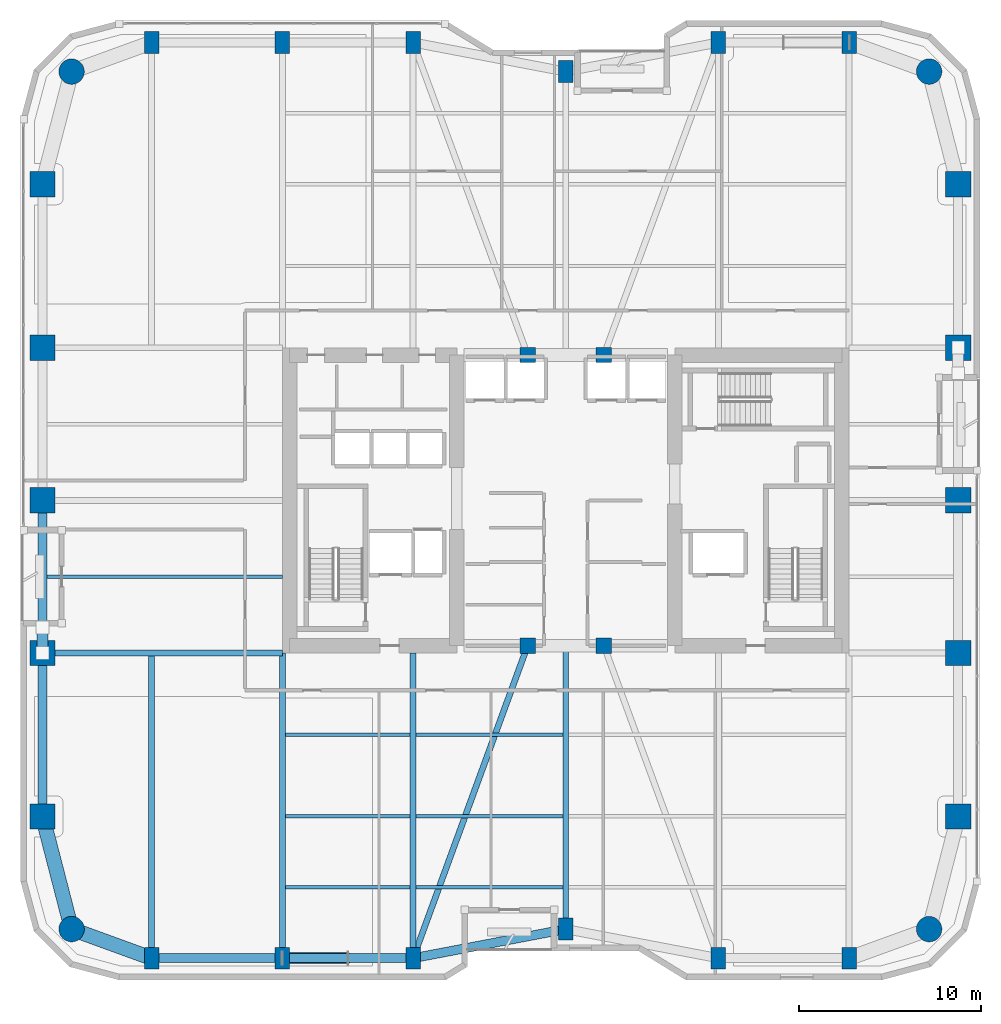
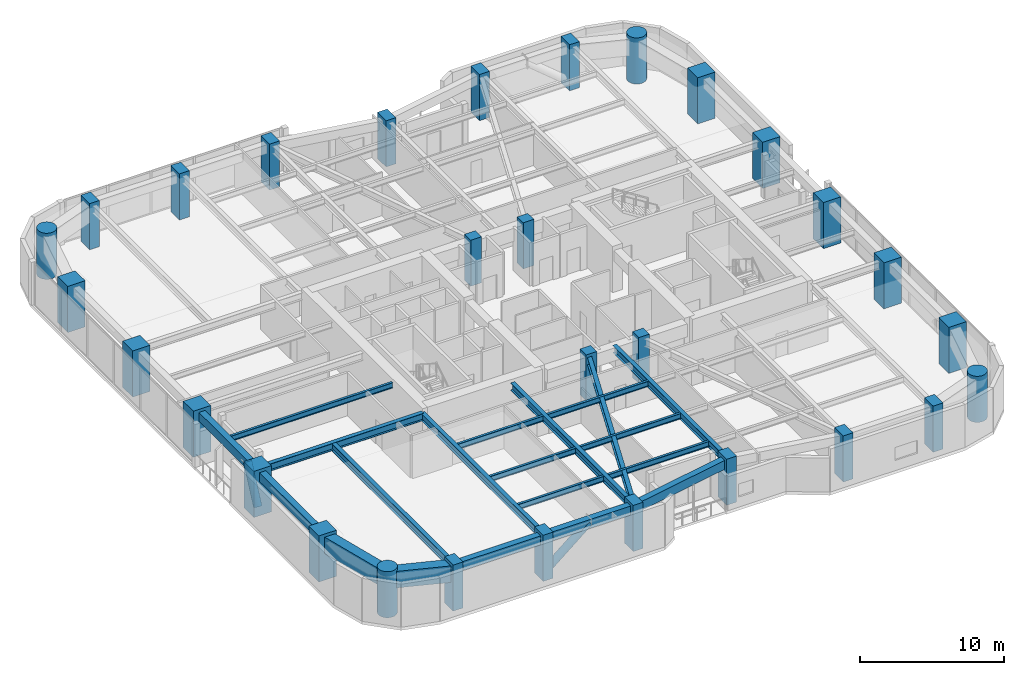
# One storey, part 1 of 24: 30 columns, 20 beams, 2 members.
"""IFC4 building model written with IfcOpenShell, lengths in metres."""

from ifc_helpers import new_model, si_unit, direction, frame, origin, origin_2d, place, context, subcontext, project, spatial, rectangle, circle, hollow_circle, i_section, extrude, material, material_profile, profile_set, type_object, element, save


model = new_model("IFC4")

# Units and contexts
model_context = context("Model", 3, precision=1e-05, world=origin(), true_north=direction((0.0, 1.0)))
body_context = subcontext(model_context, "Body", "Model", "MODEL_VIEW")
ifc_project = project(units=[si_unit("LENGTHUNIT", "METRE"), si_unit("AREAUNIT", "SQUARE_METRE"), si_unit("VOLUMEUNIT", "CUBIC_METRE"), si_unit("PLANEANGLEUNIT", "RADIAN"), si_unit("MASSUNIT", "GRAM", prefix="KILO")], contexts=[model_context])

# Site, building, storey
site_placement = place(None, origin())
site = spatial("IfcSite", under=ifc_project, at=site_placement, CompositionType="ELEMENT")
building_placement = place(site_placement, origin())
building = spatial("IfcBuilding", under=site, at=building_placement, Name="Kiyonajd Concourse Tower", CompositionType="ELEMENT")
storey_placement = place(building_placement, frame((0.0, 0.0, 133.800048828125)))
storey = spatial("IfcBuildingStorey", under=building, at=storey_placement, Name="L34", CompositionType="ELEMENT", Elevation=133.800048828125)

# Columns
ifc_material_1 = material(Name="Concrete C70/85", Category="concrete")
ifc_material_profile_1 = material_profile(ifc_material_1, rectangle(XDim=0.800048828125, YDim=1.199951171875, at=origin_2d()), Name="RC-1200x800")
ifc_profile_set_1 = profile_set([ifc_material_profile_1], Name="Concrete C70/85")
column_type_1 = type_object("IfcColumnType", Name="CL-BLADE-1200", PredefinedType="COLUMN", material=ifc_profile_set_1)
for number, where, z_axis, x_axis, name in (
    (1, (25.199951171875, 10.800048828125, 0.0), (0.0, 0.0, 1.0), (1.0, 0.0, 0.0), "L34 Perimeter Bundled Tube Column"),
    (2, (25.199951171875, 61.199951171875, 0.0), (0.0, 0.0, 1.0), (1.0, 0.0, 0.0), "L34 Perimeter Bundled Tube Column"),
    (3, (32.39990234375, 10.800048828125, 0.0), (0.0, 0.0, 1.0), (1.0, 0.0, 0.0), "L34 Perimeter Bundled Tube Column"),
    (4, (32.39990234375, 61.199951171875, 0.0), (0.0, 0.0, 1.0), (1.0, 0.0, 0.0), "L34 Perimeter Bundled Tube Column"),
    (5, (39.60009765625, 10.800048828125, 0.0), (0.0, 0.0, 1.0), (1.0, 0.0, 0.0), "L34 Perimeter Bundled Tube Column"),
    (6, (39.60009765625, 61.199951171875, 0.0), (0.0, 0.0, 1.0), (1.0, 0.0, 0.0), "L34 Perimeter Bundled Tube Column"),
    (7, (48.0, 12.39990234375, 0.0), (0.0, 0.0, 1.0), (1.0, 0.0, 0.0), "L34 Perimeter Bundled Tube Column"),
    (8, (48.0, 59.60009765625, 0.0), (0.0, 0.0, 1.0), (1.0, 0.0, 0.0), "L34 Perimeter Bundled Tube Column"),
    (9, (56.39990234375, 10.800048828125, 0.0), (0.0, 0.0, 1.0), (1.0, 0.0, 0.0), "L34 Perimeter Bundled Tube Column"),
    (10, (56.39990234375, 61.199951171875, 0.0), (0.0, 0.0, 1.0), (1.0, 0.0, 0.0), "L34 Perimeter Bundled Tube Column"),
    (11, (63.60009765625, 10.800048828125, 0.0), (0.0, 0.0, 1.0), (1.0, 0.0, 0.0), "L34 Perimeter Bundled Tube Column"),
    (12, (63.60009765625, 61.199951171875, 0.0), (0.0, 0.0, 1.0), (1.0, 0.0, 0.0), "L34 Perimeter Bundled Tube Column"),
):
    element("IfcColumn", number, at=place(storey_placement, frame(where, z_axis=z_axis, x_axis=x_axis)), inside=storey, type_object=column_type_1, Name=name, PredefinedType="COLUMN", context=body_context, shape_type="SweptSolid", body=[
        extrude(rectangle(XDim=0.800048828125, YDim=1.199951171875, at=origin_2d()), origin(), (0.0, 0.0, 1.0), 3.89990234375),
    ])
ifc_material_2 = material(Name="Concrete C80/95", Category="concrete")
ifc_material_profile_2 = material_profile(ifc_material_2, circle(Radius=0.699951171875, at=origin_2d()), Name="RCC-D1400")
ifc_profile_set_2 = profile_set([ifc_material_profile_2], Name="Concrete C80/95")
column_type_2 = type_object("IfcColumnType", Name="CL-RND-1400", PredefinedType="COLUMN", material=ifc_profile_set_2)
for number, where, z_axis, x_axis, name in (
    (13, (20.800048828125, 12.39990234375, 0.0), (0.0, 0.0, 1.0), (1.0, 0.0, 0.0), "L34 Bundled Tube Corner Column South West"),
    (14, (68.0, 12.39990234375, 0.0), (0.0, 0.0, 1.0), (1.0, 0.0, 0.0), "L34 Bundled Tube Corner Column South East"),
    (15, (68.0, 59.60009765625, 0.0), (0.0, 0.0, 1.0), (1.0, 0.0, 0.0), "L34 Bundled Tube Corner Column North East"),
    (16, (20.800048828125, 59.60009765625, 0.0), (0.0, 0.0, 1.0), (1.0, 0.0, 0.0), "L34 Bundled Tube Corner Column North West"),
):
    element("IfcColumn", number, at=place(storey_placement, frame(where, z_axis=z_axis, x_axis=x_axis)), inside=storey, type_object=column_type_2, Name=name, PredefinedType="COLUMN", context=body_context, shape_type="SweptSolid", body=[
        extrude(circle(Radius=0.699951171875, at=origin_2d()), origin(), (0.0, 0.0, 1.0), 3.89990234375),
    ])
ifc_material_profile_3 = material_profile(ifc_material_1, rectangle(XDim=1.39990234375, YDim=1.39990234375, at=origin_2d()), Name="RC-1400x1400")
ifc_profile_set_3 = profile_set([ifc_material_profile_3], Name="Concrete C70/85")
column_type_3 = type_object("IfcColumnType", Name="CL-TUBE-1400", PredefinedType="COLUMN", material=ifc_profile_set_3)
for number, where, z_axis, x_axis, name in (
    (17, (19.199951171875, 18.60009765625, 0.0), (0.0, 0.0, 1.0), (1.0, 0.0, 0.0), "L34 Perimeter Bundled Tube Column"),
    (18, (69.60009765625, 18.60009765625, 0.0), (0.0, 0.0, 1.0), (1.0, 0.0, 0.0), "L34 Perimeter Bundled Tube Column"),
    (19, (19.199951171875, 27.60009765625, 0.0), (0.0, 0.0, 1.0), (1.0, 0.0, 0.0), "L34 Perimeter Bundled Tube Column"),
    (20, (69.60009765625, 27.60009765625, 0.0), (0.0, 0.0, 1.0), (1.0, 0.0, 0.0), "L34 Perimeter Bundled Tube Column"),
    (21, (19.199951171875, 36.0, 0.0), (0.0, 0.0, 1.0), (1.0, 0.0, 0.0), "L34 Perimeter Bundled Tube Column"),
    (22, (69.60009765625, 36.0, 0.0), (0.0, 0.0, 1.0), (1.0, 0.0, 0.0), "L34 Perimeter Bundled Tube Column"),
    (23, (19.199951171875, 44.39990234375, 0.0), (0.0, 0.0, 1.0), (1.0, 0.0, 0.0), "L34 Perimeter Bundled Tube Column"),
    (24, (69.60009765625, 44.39990234375, 0.0), (0.0, 0.0, 1.0), (1.0, 0.0, 0.0), "L34 Perimeter Bundled Tube Column"),
    (25, (19.199951171875, 53.39990234375, 0.0), (0.0, 0.0, 1.0), (1.0, 0.0, 0.0), "L34 Perimeter Bundled Tube Column"),
    (26, (69.60009765625, 53.39990234375, 0.0), (0.0, 0.0, 1.0), (1.0, 0.0, 0.0), "L34 Perimeter Bundled Tube Column"),
):
    element("IfcColumn", number, at=place(storey_placement, frame(where, z_axis=z_axis, x_axis=x_axis)), inside=storey, type_object=column_type_3, Name=name, PredefinedType="COLUMN", context=body_context, shape_type="SweptSolid", body=[
        extrude(rectangle(XDim=1.39990234375, YDim=1.39990234375, at=origin_2d()), origin(), (0.0, 0.0, 1.0), 3.89990234375),
    ])
ifc_material_3 = material(Name="Concrete C60/75", Category="concrete")
ifc_material_profile_4 = material_profile(ifc_material_3, rectangle(XDim=0.85009765625, YDim=0.85009765625, at=origin_2d()), Name="RC-850x850")
ifc_profile_set_4 = profile_set([ifc_material_profile_4], Name="Concrete C60/75")
column_type_4 = type_object("IfcColumnType", Name="CL-TUBE-850", PredefinedType="COLUMN", material=ifc_profile_set_4)
for number, where, z_axis, x_axis, name in (
    (27, (45.89990234375, 28.0, 0.0), (0.0, 0.0, 1.0), (1.0, 0.0, 0.0), "L34 Core Tie Column South West"),
    (28, (50.10009765625, 28.0, 0.0), (0.0, 0.0, 1.0), (1.0, 0.0, 0.0), "L34 Core Tie Column South East"),
    (29, (45.89990234375, 44.0, 0.0), (0.0, 0.0, 1.0), (1.0, 0.0, 0.0), "L34 Core Tie Column North West"),
    (30, (50.10009765625, 44.0, 0.0), (0.0, 0.0, 1.0), (1.0, 0.0, 0.0), "L34 Core Tie Column North East"),
):
    element("IfcColumn", number, at=place(storey_placement, frame(where, z_axis=z_axis, x_axis=x_axis)), inside=storey, type_object=column_type_4, Name=name, PredefinedType="COLUMN", context=body_context, shape_type="SweptSolid", body=[
        extrude(rectangle(XDim=0.85009765625, YDim=0.85009765625, at=origin_2d()), origin(), (0.0, 0.0, 1.0), 3.89990234375),
    ])

# Beams
ifc_material_4 = material(Name="Steel ASTM A992 Grade 50", Category="steel")
ifc_material_profile_5 = material_profile(ifc_material_4, i_section(OverallWidth=0.19189453125, OverallDepth=0.462890625, WebThickness=0.010498046875, FlangeThickness=0.017578125, at=origin_2d()), Name="W460X89")
ifc_profile_set_5 = profile_set([ifc_material_profile_5], Name="Steel ASTM A992 Grade 50")
beam_type_1 = type_object("IfcBeamType", Name="BM-JST-460B", PredefinedType="JOIST", material=ifc_profile_set_5)
beam_1_placement = place(storey_placement, frame((32.5634765625, 14.699951171875, 3.408447265625), z_axis=(1.0, 0.0, 0.0), x_axis=(0.0, 1.0, 0.0)))
element("IfcBeam", 31, at=beam_1_placement, inside=storey, type_object=beam_type_1, Name="L34 Secondary Floor Joist", PredefinedType="JOIST", context=body_context, shape_type="SweptSolid", body=[
    extrude(i_section(OverallWidth=0.19189453125, OverallDepth=0.462890625, WebThickness=0.010498046875, FlangeThickness=0.017578125, at=origin_2d()), origin(), (0.0, 0.0, 1.0), 6.873046875),
])
beam_2_placement = place(storey_placement, frame((39.763427734375, 14.699951171875, 3.408447265625), z_axis=(1.0, 0.0, 0.0), x_axis=(0.0, 1.0, 0.0)))
element("IfcBeam", 32, at=beam_2_placement, inside=storey, type_object=beam_type_1, Name="L34 Secondary Floor Joist", PredefinedType="JOIST", context=body_context, shape_type="SweptSolid", body=[
    extrude(i_section(OverallWidth=0.19189453125, OverallDepth=0.462890625, WebThickness=0.010498046875, FlangeThickness=0.017578125, at=origin_2d()), origin(), (0.0, 0.0, 1.0), 8.072998046875),
])
beam_3_placement = place(storey_placement, frame((32.5634765625, 18.60009765625, 3.408447265625), z_axis=(1.0, 0.0, 0.0), x_axis=(0.0, 1.0, 0.0)))
element("IfcBeam", 33, at=beam_3_placement, inside=storey, type_object=beam_type_1, Name="L34 Secondary Floor Joist", PredefinedType="JOIST", context=body_context, shape_type="SweptSolid", body=[
    extrude(i_section(OverallWidth=0.19189453125, OverallDepth=0.462890625, WebThickness=0.010498046875, FlangeThickness=0.017578125, at=origin_2d()), origin(), (0.0, 0.0, 1.0), 6.873046875),
])
beam_4_placement = place(storey_placement, frame((39.763427734375, 18.60009765625, 3.408447265625), z_axis=(1.0, 0.0, 0.0), x_axis=(0.0, 1.0, 0.0)))
element("IfcBeam", 34, at=beam_4_placement, inside=storey, type_object=beam_type_1, Name="L34 Secondary Floor Joist", PredefinedType="JOIST", context=body_context, shape_type="SweptSolid", body=[
    extrude(i_section(OverallWidth=0.19189453125, OverallDepth=0.462890625, WebThickness=0.010498046875, FlangeThickness=0.017578125, at=origin_2d()), origin(), (0.0, 0.0, 1.0), 8.072998046875),
])
beam_5_placement = place(storey_placement, frame((32.5634765625, 23.10009765625, 3.408447265625), z_axis=(1.0, 0.0, 0.0), x_axis=(0.0, 1.0, 0.0)))
element("IfcBeam", 35, at=beam_5_placement, inside=storey, type_object=beam_type_1, Name="L34 Secondary Floor Joist", PredefinedType="JOIST", context=body_context, shape_type="SweptSolid", body=[
    extrude(i_section(OverallWidth=0.19189453125, OverallDepth=0.462890625, WebThickness=0.010498046875, FlangeThickness=0.017578125, at=origin_2d()), origin(), (0.0, 0.0, 1.0), 6.873046875),
])
beam_6_placement = place(storey_placement, frame((39.763427734375, 23.10009765625, 3.408447265625), z_axis=(1.0, 0.0, 0.0), x_axis=(0.0, 1.0, 0.0)))
element("IfcBeam", 36, at=beam_6_placement, inside=storey, type_object=beam_type_1, Name="L34 Secondary Floor Joist", PredefinedType="JOIST", context=body_context, shape_type="SweptSolid", body=[
    extrude(i_section(OverallWidth=0.19189453125, OverallDepth=0.462890625, WebThickness=0.010498046875, FlangeThickness=0.017578125, at=origin_2d()), origin(), (0.0, 0.0, 1.0), 8.072998046875),
])
beam_7_placement = place(storey_placement, frame((19.449951171875, 31.800048828125, 3.408447265625), z_axis=(1.0, 0.0, 0.0), x_axis=(0.0, 1.0, 0.0)))
element("IfcBeam", 37, at=beam_7_placement, inside=storey, type_object=beam_type_1, Name="L34 West Secondary Floor Joist", PredefinedType="JOIST", context=body_context, shape_type="SweptSolid", body=[
    extrude(i_section(OverallWidth=0.19189453125, OverallDepth=0.462890625, WebThickness=0.010498046875, FlangeThickness=0.017578125, at=origin_2d()), origin(), (0.0, 0.0, 1.0), 12.949951171875),
])
ifc_material_5 = material(Name="Precast concrete C50/60", Category="concrete")
ifc_material_profile_6 = material_profile(ifc_material_5, rectangle(XDim=0.5, YDim=0.75, at=origin_2d()), Name="RCBM-500x750")
ifc_profile_set_6 = profile_set([ifc_material_profile_6], Name="Precast concrete C50/60")
beam_type_2 = type_object("IfcBeamType", Name="BM-SPAN-RC", PredefinedType="SPANDREL", material=ifc_profile_set_6)
beam_8_placement = place(storey_placement, frame((19.199951171875, 27.60009765625, 3.264892578125), z_axis=(0.0, -1.0, 0.0), x_axis=(1.0, 0.0, 0.0)))
element("IfcBeam", 38, at=beam_8_placement, inside=storey, type_object=beam_type_2, Name="L34 Perimeter Bundled Tube Spandrel", PredefinedType="SPANDREL", context=body_context, shape_type="SweptSolid", body=[
    extrude(rectangle(XDim=0.5, YDim=0.75, at=origin_2d()), origin(), (0.0, 0.0, 1.0), 9.0),
])
beam_9_placement = place(storey_placement, frame((25.199951171875, 10.800048828125, 3.264892578125), z_axis=(1.0, 0.0, 0.0), x_axis=(0.0, 1.0, 0.0)))
element("IfcBeam", 39, at=beam_9_placement, inside=storey, type_object=beam_type_2, Name="L34 Perimeter Bundled Tube Spandrel", PredefinedType="SPANDREL", context=body_context, shape_type="SweptSolid", body=[
    extrude(rectangle(XDim=0.5, YDim=0.75, at=origin_2d()), origin(), (0.0, 0.0, 1.0), 7.199951171875),
])
beam_10_placement = place(storey_placement, frame((32.39990234375, 10.800048828125, 3.264892578125), z_axis=(1.0, 0.0, 0.0), x_axis=(0.0, 1.0, 0.0)))
element("IfcBeam", 40, at=beam_10_placement, inside=storey, type_object=beam_type_2, Name="L34 Perimeter Bundled Tube Spandrel", PredefinedType="SPANDREL", context=body_context, shape_type="SweptSolid", body=[
    extrude(rectangle(XDim=0.5, YDim=0.75, at=origin_2d()), origin(), (0.0, 0.0, 1.0), 7.2001953125),
])
beam_11_placement = place(storey_placement, frame((39.60009765625, 10.800048828125, 3.264892578125), z_axis=(0.982341315253, 0.187097675953, 0.0), x_axis=(-0.187097675953, 0.982341315253, 0.0)))
element("IfcBeam", 41, at=beam_11_placement, inside=storey, type_object=beam_type_2, Name="L34 Perimeter Bundled Tube Spandrel", PredefinedType="SPANDREL", context=body_context, shape_type="SweptSolid", body=[
    extrude(rectangle(XDim=0.5, YDim=0.75, at=origin_2d()), origin(), (0.0, 0.0, 1.0), 8.55078125),
])
beam_12_placement = place(storey_placement, frame((19.199951171875, 36.0, 3.264892578125), z_axis=(0.0, -1.0, 0.0), x_axis=(1.0, 0.0, 0.0)))
element("IfcBeam", 42, at=beam_12_placement, inside=storey, type_object=beam_type_2, Name="L34 Perimeter Bundled Tube Spandrel", PredefinedType="SPANDREL", context=body_context, shape_type="SweptSolid", body=[
    extrude(rectangle(XDim=0.5, YDim=0.75, at=origin_2d()), origin(), (0.0, 0.0, 1.0), 8.39990234375),
])
ifc_material_profile_7 = material_profile(ifc_material_4, i_section(OverallWidth=0.326904296875, OverallDepth=0.6220703125, WebThickness=0.015380859375, FlangeThickness=0.0244140625, at=origin_2d()), Name="W610X195")
ifc_profile_set_7 = profile_set([ifc_material_profile_7], Name="Steel ASTM A992 Grade 50")
beam_type_3 = type_object("IfcBeamType", Name="BM-TWR-610A", PredefinedType="BEAM", material=ifc_profile_set_7)
beam_13_placement = place(storey_placement, frame((39.60009765625, 10.800048828125, 3.328857421875), z_axis=(0.343925269715, 0.938997022813, 0.0), x_axis=(-0.938997022813, 0.343925269715, 0.0)))
element("IfcBeam", 43, at=beam_13_placement, inside=storey, type_object=beam_type_3, Name="L34 Core Tie Girder", PredefinedType="BEAM", context=body_context, shape_type="SweptSolid", body=[
    extrude(i_section(OverallWidth=0.326904296875, OverallDepth=0.6220703125, WebThickness=0.015380859375, FlangeThickness=0.0244140625, at=origin_2d()), origin(), (0.0, 0.0, 1.0), 18.3173828125),
])
for number, where, z_axis, x_axis, name in (
    (44, (25.199951171875, 10.800048828125, 3.328857421875), (0.0, 1.0, 0.0), (-1.0, 0.0, 0.0), "L34 South Lease Girder"),
    (45, (32.39990234375, 10.800048828125, 3.328857421875), (0.0, 1.0, 0.0), (-1.0, 0.0, 0.0), "L34 South Lease Girder"),
    (46, (39.60009765625, 10.800048828125, 3.328857421875), (0.0, 1.0, 0.0), (-1.0, 0.0, 0.0), "L34 South Lease Girder"),
):
    element("IfcBeam", number, at=place(storey_placement, frame(where, z_axis=z_axis, x_axis=x_axis)), inside=storey, type_object=beam_type_3, Name=name, PredefinedType="BEAM", context=body_context, shape_type="SweptSolid", body=[
        extrude(i_section(OverallWidth=0.326904296875, OverallDepth=0.6220703125, WebThickness=0.015380859375, FlangeThickness=0.0244140625, at=origin_2d()), origin(), (0.0, 0.0, 1.0), 16.800048828125),
    ])
beam_14_placement = place(storey_placement, frame((48.0, 12.39990234375, 3.328857421875), z_axis=(0.0, 1.0, 0.0), x_axis=(-1.0, 0.0, 0.0)))
element("IfcBeam", 47, at=beam_14_placement, inside=storey, type_object=beam_type_3, Name="L34 South Ribbon Girder", PredefinedType="BEAM", context=body_context, shape_type="SweptSolid", body=[
    extrude(i_section(OverallWidth=0.326904296875, OverallDepth=0.6220703125, WebThickness=0.015380859375, FlangeThickness=0.0244140625, at=origin_2d()), origin(), (0.0, 0.0, 1.0), 15.60009765625),
])
beam_15_placement = place(storey_placement, frame((19.199951171875, 27.60009765625, 3.328857421875), z_axis=(1.0, 0.0, 0.0), x_axis=(0.0, 1.0, 0.0)))
element("IfcBeam", 48, at=beam_15_placement, inside=storey, type_object=beam_type_3, Name="L34 West Lease Girder", PredefinedType="BEAM", context=body_context, shape_type="SweptSolid", body=[
    extrude(i_section(OverallWidth=0.326904296875, OverallDepth=0.6220703125, WebThickness=0.015380859375, FlangeThickness=0.0244140625, at=origin_2d()), origin(), (0.0, 0.0, 1.0), 13.199951171875),
])
ifc_material_profile_8 = material_profile(ifc_material_3, rectangle(XDim=0.800048828125, YDim=1.39990234375, at=origin_2d()), Name="RCBM-800x1400")
ifc_profile_set_8 = profile_set([ifc_material_profile_8], Name="Concrete C60/75")
beam_type_4 = type_object("IfcBeamType", Name="BM-XFER-RC", PredefinedType="BEAM", material=ifc_profile_set_8)
beam_16_placement = place(storey_placement, frame((19.199951171875, 18.60009765625, 2.93994140625), z_axis=(0.249884937687, -0.968275538221, 0.0), x_axis=(0.968275538221, 0.249884937687, 0.0)))
element("IfcBeam", 49, at=beam_16_placement, inside=storey, type_object=beam_type_4, Name="L34 Perimeter Bundled Tube Spandrel", PredefinedType="BEAM", context=body_context, shape_type="SweptSolid", body=[
    extrude(rectangle(XDim=0.800048828125, YDim=1.39990234375, at=origin_2d()), origin(), (0.0, 0.0, 1.0), 6.4033203125),
])
beam_17_placement = place(storey_placement, frame((20.800048828125, 12.39990234375, 2.93994140625), z_axis=(0.939801036019, -0.341722127901, 0.0), x_axis=(0.341722127901, 0.939801036019, 0.0)))
element("IfcBeam", 50, at=beam_17_placement, inside=storey, type_object=beam_type_4, Name="L34 Perimeter Bundled Tube Spandrel", PredefinedType="BEAM", context=body_context, shape_type="SweptSolid", body=[
    extrude(rectangle(XDim=0.800048828125, YDim=1.39990234375, at=origin_2d()), origin(), (0.0, 0.0, 1.0), 4.681640625),
])

# Members
ifc_material_6 = material(Name="Steel ASTM A572 Grade 50", Category="steel")
ifc_material_profile_9 = material_profile(ifc_material_6, hollow_circle(Radius=0.304931640625, WallThickness=0.02490234375, at=origin_2d()), Name="CHS-610x25")
ifc_profile_set_9 = profile_set([ifc_material_profile_9], Name="Steel ASTM A572 Grade 50")
member_type = type_object("IfcMemberType", Name="MB-PB-LOW", PredefinedType="BRACE", material=ifc_profile_set_9)
member_1_placement = place(storey_placement, frame((32.39990234375, 10.800048828125, 0.300048828125), z_axis=(0.769280705518, 0.0, 0.638910945373), x_axis=(0.0, 1.0, 0.0)))
element("IfcMember", 51, at=member_1_placement, inside=storey, type_object=member_type, Name="L34 Lower Zone Welded Tube Brace PBS", PredefinedType="BRACE", context=body_context, shape_type="SweptSolid", body=[
    extrude(hollow_circle(Radius=0.304931640625, WallThickness=0.02490234375, at=origin_2d()), origin(), (0.0, 0.0, 1.0), 4.679931640625),
])
member_2_placement = place(storey_placement, frame((19.199951171875, 27.60009765625, 0.300048828125), z_axis=(0.0, 0.424022702926, 0.905651559598), x_axis=(-1.0, 0.0, 0.0)))
element("IfcMember", 52, at=member_2_placement, inside=storey, type_object=member_type, Name="L34 Lower Zone Welded Tube Brace PBW", PredefinedType="BRACE", context=body_context, shape_type="SweptSolid", body=[
    extrude(hollow_circle(Radius=0.304931640625, WallThickness=0.02490234375, at=origin_2d()), origin(), (0.0, 0.0, 1.0), 3.301513671875),
])

save(model, "model.ifc")
